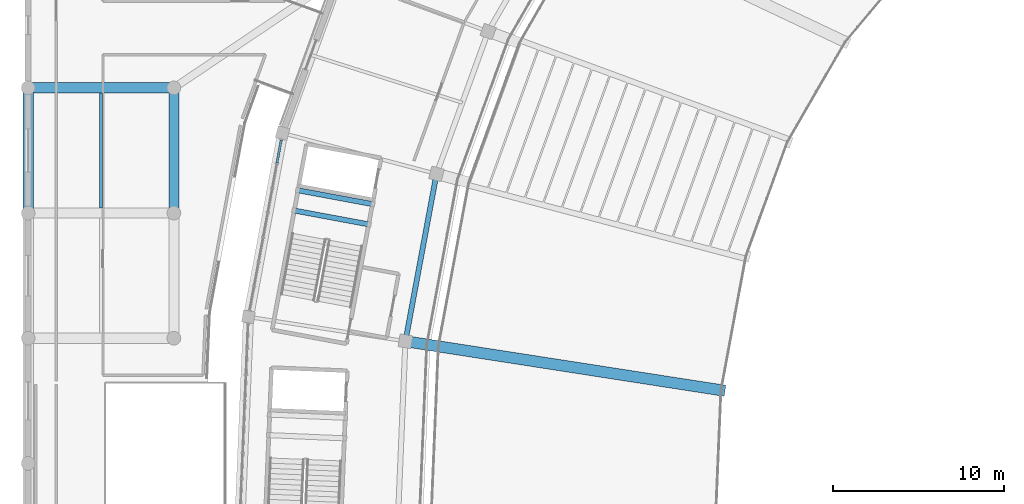
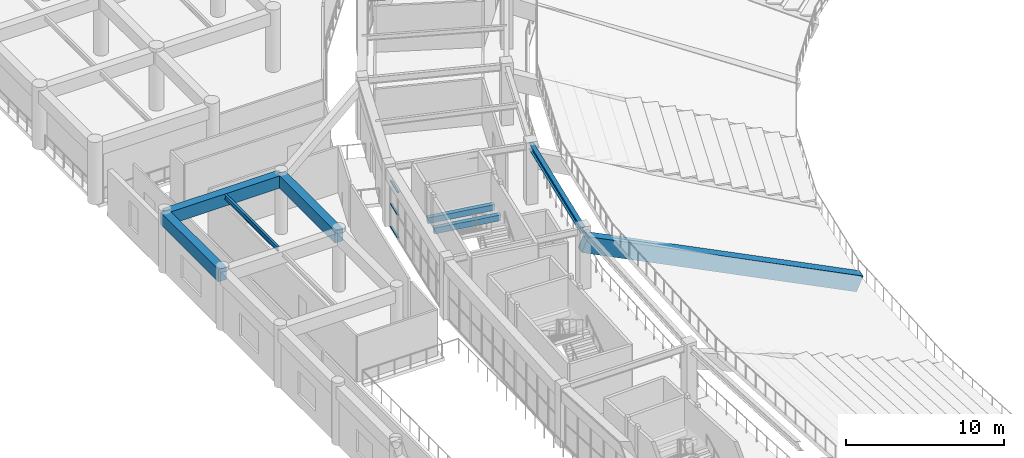
# One storey, part 29 of 137: 8 beams, 3 members, 1 element without a shape of its own.
"""IFC4 building model written with IfcOpenShell, lengths in metres."""

import ifcopenshell
import ifcopenshell.guid

model = None  # the IFC model being written
_history = None  # IfcOwnerHistory: only IFC2X3 demands one
_inside = {}  # id of a spatial element -> (the spatial element, [elements in it])
_under = {}  # id of a project, library or spatial element -> (it, [spatial elements below it])
_declared = {}  # id of a project -> (the project, [libraries it declares])
_typed = {}  # id of a type object -> (the type object, [elements of that type])
_made_of = {}  # id of a material, layer set ... -> (it, [elements and type objects made of it])


def new_model(schema):
    """Start an empty IFC model of exactly this schema.

    Asked for "IFC4X3", IfcOpenShell would pick the latest addendum, in which some entities
    have other attributes; the version numbers below select the first issue.
    IFC2X3 requires an IfcOwnerHistory on every rooted entity: one is made here for all.
    """
    global model, _history
    if schema == "IFC4X3":
        model = ifcopenshell.file(schema_version=(4, 3, 0, 0))
    else:
        model = ifcopenshell.file(schema=schema)
    _inside.clear()
    _under.clear()
    _declared.clear()
    _typed.clear()
    _made_of.clear()
    _history = None
    if model.schema == "IFC2X3":
        org = make("IfcOrganization", Name="unknown")
        user = make(
            "IfcPersonAndOrganization",
            ThePerson=make("IfcPerson", FamilyName="unknown"),
            TheOrganization=org,
        )
        app = make(
            "IfcApplication",
            ApplicationDeveloper=org,
            Version="unknown",
            ApplicationFullName="unknown",
            ApplicationIdentifier="unknown",
        )
        _history = make(
            "IfcOwnerHistory",
            OwningUser=user,
            OwningApplication=app,
            ChangeAction="ADDED",
            CreationDate=0,
        )
    return model


def make(cls, **values):
    """One entity of the class cls with the attributes given. An attribute that is None is left unset."""
    return model.create_entity(
        cls, **{name: value for name, value in values.items() if value is not None}
    )


def rooted(cls, **values):
    """An entity with a GlobalId (a new one), such as an element, a storey or a relation."""
    return make(cls, GlobalId=ifcopenshell.guid.new(), OwnerHistory=_history, **values)


def si_unit(unit_type, name, prefix=None):
    """IfcSIUnit, for example si_unit("LENGTHUNIT", "METRE", prefix="MILLI")."""
    return make("IfcSIUnit", UnitType=unit_type, Prefix=prefix, Name=name)


def assignment(units):
    """IfcUnitAssignment: the units of a project."""
    return None if units is None else make("IfcUnitAssignment", Units=units)


def point(xyz):
    """IfcCartesianPoint."""
    return None if xyz is None else make("IfcCartesianPoint", Coordinates=xyz)


def direction(xyz):
    """IfcDirection."""
    return None if xyz is None else make("IfcDirection", DirectionRatios=xyz)


def frame(location, z_axis=None, x_axis=None):
    """IfcAxis2Placement3D, a coordinate frame: its origin and axes. An axis left out is left unset."""
    return make(
        "IfcAxis2Placement3D",
        Location=point(location),
        Axis=direction(z_axis),
        RefDirection=direction(x_axis),
    )


def frame_2d(location, x_axis=None):
    """IfcAxis2Placement2D, a coordinate frame in the plane: its origin and x axis."""
    return make(
        "IfcAxis2Placement2D", Location=point(location), RefDirection=direction(x_axis)
    )


def origin():
    """The frame at (0, 0, 0) with its axes left unset."""
    return frame((0.0, 0.0, 0.0))


def origin_2d():
    """The frame at (0, 0) in the plane with its x axis left unset."""
    return frame_2d((0.0, 0.0))


def place(relative_to, where):
    """IfcLocalPlacement: puts the frame where relative to a parent placement (None: the world)."""
    return make(
        "IfcLocalPlacement", PlacementRelTo=relative_to, RelativePlacement=where
    )


def context(
    kind, dimensions, precision=None, world=None, true_north=None, identifier=None
):
    """IfcGeometricRepresentationContext, for example the 3D "Model" context."""
    return make(
        "IfcGeometricRepresentationContext",
        ContextIdentifier=identifier,
        ContextType=kind,
        CoordinateSpaceDimension=dimensions,
        Precision=precision,
        WorldCoordinateSystem=world,
        TrueNorth=true_north,
    )


def subcontext(parent, identifier, kind, view, scale=None):
    """IfcGeometricRepresentationSubContext, for example "Body" below "Model"."""
    return make(
        "IfcGeometricRepresentationSubContext",
        ContextIdentifier=identifier,
        ContextType=kind,
        ParentContext=parent,
        TargetScale=scale,
        TargetView=view,
    )


def project(units=None, contexts=None):
    """IfcProject with its units and contexts."""
    return rooted(
        "IfcProject",
        Name="project",
        RepresentationContexts=contexts,
        UnitsInContext=assignment(units),
    )


def spatial(cls, under=None, at=None, **own):
    """A site, building, storey or space (cls), placed at a placement, below another one or the project."""
    s = rooted(cls, ObjectPlacement=at, **own)
    if under is not None:
        _under.setdefault(under.id(), (under, []))[1].append(s)
    return s


def profile(cls, at=None, kind="AREA", **sizes):
    """A parametric profile (cls). Its sizes go by their IFC names, for example OverallWidth=200.0."""
    return make(cls, ProfileType=kind, Position=at, **sizes)


def rectangle(**sizes):
    """IfcRectangleProfileDef."""
    return profile("IfcRectangleProfileDef", **sizes)


def i_section(**sizes):
    """IfcIShapeProfileDef."""
    return profile("IfcIShapeProfileDef", **sizes)


def extrude(swept, where, along, depth):
    """IfcExtrudedAreaSolid: the profile swept, set in the frame where, extruded along a direction by depth."""
    return make(
        "IfcExtrudedAreaSolid",
        SweptArea=swept,
        Position=where,
        ExtrudedDirection=direction(along),
        Depth=depth,
    )


def shape(context_of_items, identifier, shape_type, items):
    """IfcShapeRepresentation: the items that make up one representation, for example the "Body"."""
    return make(
        "IfcShapeRepresentation",
        ContextOfItems=context_of_items,
        RepresentationIdentifier=identifier,
        RepresentationType=shape_type,
        Items=items,
    )


def material(Name=None, Category=None):
    """IfcMaterial."""
    return make("IfcMaterial", Name=Name, Category=Category)


def layer(
    of_material, thickness, ventilated=None, Name=None, Category=None, Priority=None
):
    """IfcMaterialLayer: one layer of a wall or slab, of a material (None: an air gap)."""
    return make(
        "IfcMaterialLayer",
        Material=of_material,
        LayerThickness=thickness,
        IsVentilated=ventilated,
        Name=Name,
        Category=Category,
        Priority=Priority,
    )


def layer_set(layers, Name=None):
    """IfcMaterialLayerSet."""
    return make("IfcMaterialLayerSet", MaterialLayers=layers, LayerSetName=Name)


def material_profile(
    of_material, cross_section, Name=None, Category=None, Priority=None
):
    """IfcMaterialProfile: a cross section and its material."""
    return make(
        "IfcMaterialProfile",
        Name=Name,
        Material=of_material,
        Profile=cross_section,
        Priority=Priority,
        Category=Category,
    )


def profile_set(profiles, Name=None, composite=None):
    """IfcMaterialProfileSet."""
    return make(
        "IfcMaterialProfileSet",
        Name=Name,
        MaterialProfiles=profiles,
        CompositeProfile=composite,
    )


def made_of(thing, what):
    """Note that an element or type object is made of a material, layer set ...; save() writes the relation."""
    if what is not None:
        _made_of.setdefault(what.id(), (what, []))[1].append(thing)
    return thing


def type_object(cls, material=None, **own):
    """A type object (cls), such as IfcWallType, which elements share."""
    return made_of(rooted(cls, **own), material)


def element(
    cls,
    number,
    at=None,
    inside=None,
    cuts=None,
    type_object=None,
    material=None,
    context=None,
    identifier="Body",
    shape_type=None,
    held_by="IfcProductDefinitionShape",
    body=None,
    shapes=None,
    **own,
):
    """One element of the class cls, such as IfcWall. Its Tag is "e" and its number.

    at: its placement. inside: the storey or other place that contains it. cuts: it is an
    opening in that element (IfcRelVoidsElement). A single representation is given by context,
    identifier, shape_type and body (its items); several are given by shapes. held_by: the class
    of the entity that holds the representations. save() writes the other relations.
    """
    e = rooted(cls, Tag="e%d" % number, ObjectPlacement=at, **own)
    if body is not None:
        shapes = [shape(context, identifier, shape_type, body)]
    if shapes is not None:
        e.Representation = make(held_by, Representations=shapes)
    if inside is not None:
        _inside.setdefault(inside.id(), (inside, []))[1].append(e)
    if cuts is not None:
        rooted(
            "IfcRelVoidsElement", RelatingBuildingElement=cuts, RelatedOpeningElement=e
        )
    if type_object is not None:
        _typed.setdefault(type_object.id(), (type_object, []))[1].append(e)
    return made_of(e, material)


def aggregate(whole, parts):
    """IfcRelAggregates: a whole, such as a stair, and the parts it consists of."""
    return rooted("IfcRelAggregates", RelatingObject=whole, RelatedObjects=parts)


def save(model, path):
    """Write the relations noted so far, then the file.

    IfcRelAggregates (storeys below a building ...), IfcRelContainedInSpatialStructure (elements
    in a storey), IfcRelDefinesByType, IfcRelAssociatesMaterial and IfcRelDeclares: one each for
    every whole, place, type object, material and project.
    """
    for whole, parts in _under.values():
        aggregate(whole, parts)
    for where, things in _inside.values():
        rooted(
            "IfcRelContainedInSpatialStructure",
            RelatedElements=things,
            RelatingStructure=where,
        )
    for kind, things in _typed.values():
        rooted("IfcRelDefinesByType", RelatedObjects=things, RelatingType=kind)
    for what, things in _made_of.values():
        rooted("IfcRelAssociatesMaterial", RelatedObjects=things, RelatingMaterial=what)
    for by, libraries in _declared.values():
        rooted("IfcRelDeclares", RelatingContext=by, RelatedDefinitions=libraries)
    model.write(path)


model = new_model("IFC4")

# Units and contexts
model_context = context("Model", 3, precision=1e-05, world=origin(), true_north=direction((0.0, 1.0)))
body_context = subcontext(model_context, "Body", "Model", "MODEL_VIEW")
ifc_project = project(units=[si_unit("LENGTHUNIT", "METRE"), si_unit("AREAUNIT", "SQUARE_METRE"), si_unit("VOLUMEUNIT", "CUBIC_METRE"), si_unit("PLANEANGLEUNIT", "RADIAN"), si_unit("MASSUNIT", "GRAM", prefix="KILO")], contexts=[model_context])

# Site, building, storey
site_placement = place(None, origin())
site = spatial("IfcSite", under=ifc_project, at=site_placement, CompositionType="ELEMENT")
building_placement = place(site_placement, origin())
building = spatial("IfcBuilding", under=site, at=building_placement, Name="Mphavela Belvedere Stadium", CompositionType="ELEMENT")
storey_placement = place(building_placement, frame((0.0, 0.0, 19.199951171875)))
storey = spatial("IfcBuildingStorey", under=building, at=storey_placement, Name="L04", CompositionType="ELEMENT", Elevation=19.199951171875)

# Beams
ifc_material_1 = material(Name="Concrete C40/50", Category="concrete")
ifc_material_profile_1 = material_profile(ifc_material_1, rectangle(XDim=0.60009765625, YDim=0.949951171875, at=origin_2d()), Name="RC 600x950")
ifc_profile_set_1 = profile_set([ifc_material_profile_1], Name="Concrete C40/50")
beam_type_1 = type_object("IfcBeamType", Name="BM-ENTABLATURE-950", PredefinedType="SPANDREL", material=ifc_profile_set_1)
beam_1_placement = place(storey_placement, frame((0.0, 108.89990234375, 4.06494140625), z_axis=(0.0, 1.0, 0.0), x_axis=(-1.0, 0.0, 0.0)))
element("IfcBeam", 1, at=beam_1_placement, inside=storey, type_object=beam_type_1, Name="West Planted Eaves Peristyle Colonnade entablature beam Y L04 1-9", PredefinedType="SPANDREL", context=body_context, shape_type="SweptSolid", body=[
    extrude(rectangle(XDim=0.60009765625, YDim=0.949951171875, at=origin_2d()), origin(), (0.0, 0.0, 1.0), 7.300048828125),
])
beam_2_placement = place(storey_placement, frame((0.0, 116.199951171875, 4.06494140625), z_axis=(1.0, 0.0, 0.0), x_axis=(0.0, 1.0, 0.0)))
element("IfcBeam", 2, at=beam_2_placement, inside=storey, type_object=beam_type_1, Name="West Planted Eaves Peristyle Colonnade entablature beam X L04 1-10", PredefinedType="SPANDREL", context=body_context, shape_type="SweptSolid", body=[
    extrude(rectangle(XDim=0.60009765625, YDim=0.949951171875, at=origin_2d()), origin(), (0.0, 0.0, 1.0), 8.5),
])
beam_3_placement = place(storey_placement, frame((8.5, 108.89990234375, 4.06494140625), z_axis=(0.0, 1.0, 0.0), x_axis=(-1.0, 0.0, 0.0)))
element("IfcBeam", 3, at=beam_3_placement, inside=storey, type_object=beam_type_1, Name="West Planted Eaves Peristyle Colonnade entablature beam Y L04 2-9", PredefinedType="SPANDREL", context=body_context, shape_type="SweptSolid", body=[
    extrude(rectangle(XDim=0.60009765625, YDim=0.949951171875, at=origin_2d()), origin(), (0.0, 0.0, 1.0), 7.300048828125),
])
ifc_material_2 = material(Name="Steel S355", Category="steel")
ifc_material_profile_2 = material_profile(ifc_material_2, i_section(OverallWidth=0.169921875, OverallDepth=0.360107421875, WebThickness=0.008056640625, FlangeThickness=0.0126953125, at=origin_2d()), Name="IPE 360")
ifc_profile_set_2 = profile_set([ifc_material_profile_2], Name="Steel S355")
beam_type_2 = type_object("IfcBeamType", Name="BM-JOIST-IPE360", PredefinedType="JOIST", material=ifc_profile_set_2)
beam_4_placement = place(storey_placement, frame((4.25, 109.199951171875, 4.360107421875), z_axis=(0.0, 1.0, 0.0), x_axis=(-1.0, 0.0, 0.0)))
element("IfcBeam", 4, at=beam_4_placement, inside=storey, type_object=beam_type_2, Name="West Planted Eaves Peristyle Colonnade secondary joist L04 1-9", PredefinedType="JOIST", context=body_context, shape_type="SweptSolid", body=[
    extrude(i_section(OverallWidth=0.169921875, OverallDepth=0.360107421875, WebThickness=0.008056640625, FlangeThickness=0.0126953125, at=origin_2d()), origin(), (0.0, 0.0, 1.0), 6.699951171875),
])
ifc_material_3 = material(Name="Precast concrete C45/55", Category="concrete")
ifc_material_profile_3 = material_profile(ifc_material_3, rectangle(XDim=0.64990234375, YDim=1.199951171875, at=origin_2d()), Name="PC 650x1200")
ifc_profile_set_3 = profile_set([ifc_material_profile_3], Name="Precast concrete C45/55")
beam_type_3 = type_object("IfcBeamType", Name="BM-RAKER-UPPER", PredefinedType="USERDEFINED", material=ifc_profile_set_3)
beam_5_placement = place(storey_placement, frame((40.4072265625, 98.56982421875, -4.349853515625), z_axis=(-0.912368182234, 0.141509277986, 0.38413464344), x_axis=(-0.153268482759, -0.98818458407, 0.0)))
element("IfcBeam", 5, at=beam_5_placement, inside=storey, type_object=beam_type_3, Name="Upper tier precast cantilever raker beam RK-U-24", ObjectType="RAKER BEAM", PredefinedType="USERDEFINED", context=body_context, shape_type="SweptSolid", body=[
    extrude(rectangle(XDim=0.64990234375, YDim=1.199951171875, at=origin_2d()), origin(), (0.0, 0.0, 1.0), 20.17529296875),
])
ifc_material_4 = material(Name="Concrete C40/50", Category="concrete")
ifc_material_profile_4 = material_profile(ifc_material_4, rectangle(XDim=0.300048828125, YDim=0.449951171875, at=origin_2d()), Name="RC 300x450")
ifc_profile_set_4 = profile_set([ifc_material_profile_4], Name="Concrete C40/50")
beam_type_4 = type_object("IfcBeamType", Name="BM-RC300x450", PredefinedType="BEAM", material=ifc_profile_set_4)
for number, where, z_axis, x_axis, name in (
    (6, (19.88623046875, 108.2353515625, 1.97509765625), (-0.9831891563, 0.182589931088, 0.0), (-0.182589931088, -0.9831891563, 0.0), "Core C06 landing trimmer beam L04-1"),
    (7, (20.105224609375, 109.415283203125, 1.97509765625), (-0.983198960132, 0.182537132646, 0.0), (-0.182537132646, -0.983198960132, 0.0), "Core C06 landing trimmer beam L04-2"),
):
    element("IfcBeam", number, at=place(storey_placement, frame(where, z_axis=z_axis, x_axis=x_axis)), inside=storey, type_object=beam_type_4, Name=name, PredefinedType="BEAM", context=body_context, shape_type="SweptSolid", body=[
        extrude(rectangle(XDim=0.300048828125, YDim=0.449951171875, at=origin_2d()), origin(), (0.0, 0.0, 1.0), 4.469970703125),
    ])
ifc_material_5 = material(Name="Steel S355", Category="steel")
ifc_material_profile_5 = material_profile(ifc_material_5, i_section(OverallWidth=0.300048828125, OverallDepth=0.489990234375, WebThickness=0.011962890625, FlangeThickness=0.02294921875, at=origin_2d()), Name="HEA 500")
ifc_profile_set_5 = profile_set([ifc_material_profile_5], Name="Steel S355")
beam_type_5 = type_object("IfcBeamType", Name="BM-STEEL-HEA500", PredefinedType="BEAM", material=ifc_profile_set_5)
beam_6_placement = place(storey_placement, frame((23.8125, 111.181884765625, 4.304931640625), z_axis=(-0.182638056683, -0.983180217585, 0.0), x_axis=(0.983180217585, -0.182638056683, 0.0)))
element("IfcBeam", 8, at=beam_6_placement, inside=storey, type_object=beam_type_5, Name="Circumferential girder L04 R3-23", PredefinedType="BEAM", context=body_context, shape_type="SweptSolid", body=[
    extrude(i_section(OverallWidth=0.300048828125, OverallDepth=0.489990234375, WebThickness=0.011962890625, FlangeThickness=0.02294921875, at=origin_2d()), origin(), (0.0, 0.0, 1.0), 9.924072265625),
])

# Curtain wall, members
ifc_material_6 = material(Name="Anodised bronze unitised curtain wall framing")
ifc_layer = layer(ifc_material_6, 0.199951171875)
ifc_layer_set = layer_set([ifc_layer], Name="Anodised bronze unitised curtain wall framing")
curtain_wall_type = type_object("IfcCurtainWallType", Name="CW-UNIT-05", PredefinedType="USERDEFINED", material=ifc_layer_set)
curtain_wall_placement = place(storey_placement, origin())
curtain_wall = element("IfcCurtainWall", 9, at=curtain_wall_placement, inside=storey, type_object=curtain_wall_type, Name="Belvedere colonnade curtain wall L04-23", ObjectType="UNITISED CURTAIN WALL", PredefinedType="USERDEFINED")
ifc_material_7 = material(Name="Anodised bronze extruded aluminium", Category="aluminium")
ifc_material_profile_6 = material_profile(ifc_material_7, rectangle(XDim=0.139892578125, YDim=0.06005859375, at=origin_2d()), Name="CW-TRN 140x60")
ifc_profile_set_6 = profile_set([ifc_material_profile_6], Name="Anodised bronze extruded aluminium")
member_type = type_object("IfcMemberType", Name="CWT-140x60", PredefinedType="USERDEFINED", material=ifc_profile_set_6)
member_1_placement = place(storey_placement, frame((14.760009765625, 113.156494140625, 0.030029296875), z_axis=(-0.182706201603, -0.983167556369, 0.0), x_axis=(0.983167556369, -0.182706201603, 0.0)))
member_1 = element("IfcMember", 10, at=member_1_placement, type_object=member_type, Name="CW-05 transom 1.1", ObjectType="TRANSOM", PredefinedType="USERDEFINED", context=body_context, shape_type="SweptSolid", body=[
    extrude(rectangle(XDim=0.139892578125, YDim=0.06005859375, at=origin_2d()), origin(), (0.0, 0.0, 1.0), 1.3603515625),
])
member_2_placement = place(storey_placement, frame((14.760009765625, 113.156494140625, 1.78515625), z_axis=(-0.182706201603, -0.983167556369, 0.0), x_axis=(0.983167556369, -0.182706201603, 0.0)))
member_2 = element("IfcMember", 11, at=member_2_placement, type_object=member_type, Name="CW-05 transom 1.2", ObjectType="TRANSOM", PredefinedType="USERDEFINED", context=body_context, shape_type="SweptSolid", body=[
    extrude(rectangle(XDim=0.139892578125, YDim=0.06005859375, at=origin_2d()), origin(), (0.0, 0.0, 1.0), 1.3603515625),
])
member_3_placement = place(storey_placement, frame((14.760009765625, 113.156494140625, 3.5400390625), z_axis=(-0.182706201603, -0.983167556369, 0.0), x_axis=(0.983167556369, -0.182706201603, 0.0)))
member_3 = element("IfcMember", 12, at=member_3_placement, type_object=member_type, Name="CW-05 transom 1.3", ObjectType="TRANSOM", PredefinedType="USERDEFINED", context=body_context, shape_type="SweptSolid", body=[
    extrude(rectangle(XDim=0.139892578125, YDim=0.06005859375, at=origin_2d()), origin(), (0.0, 0.0, 1.0), 1.3603515625),
])
aggregate(curtain_wall, [member_1, member_2, member_3])

save(model, "model.ifc")
